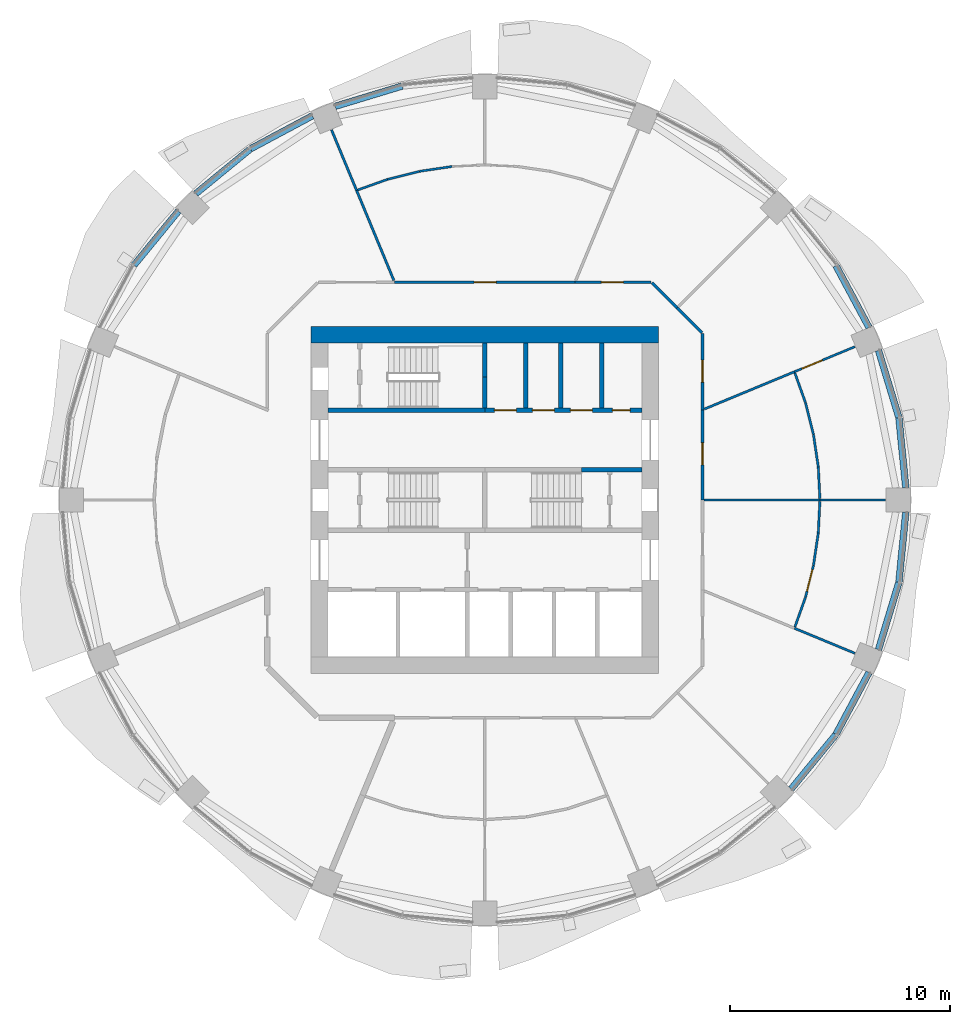
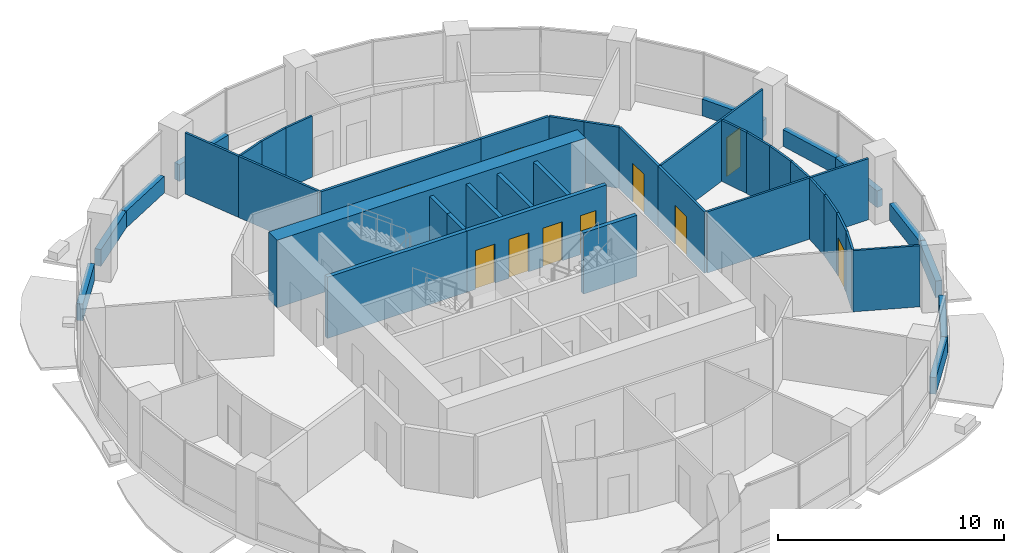
# One storey, part 9 of 14: 44 walls, 10 doors, 10 openings.
"""IFC4 building model written with IfcOpenShell, lengths in metres."""

from ifc_helpers import new_model, si_unit, direction, frame, frame_2d, origin, place, context, subcontext, project, spatial, rectangle, extrude, material, layer, layer_set, type_object, element, fill, save


model = new_model("IFC4")

# Units and contexts
model_context = context("Model", 3, precision=1e-05, world=origin(), true_north=direction((0.0, 1.0)))
body_context = subcontext(model_context, "Body", "Model", "MODEL_VIEW")
ifc_project = project(units=[si_unit("LENGTHUNIT", "METRE"), si_unit("AREAUNIT", "SQUARE_METRE"), si_unit("VOLUMEUNIT", "CUBIC_METRE"), si_unit("PLANEANGLEUNIT", "RADIAN"), si_unit("MASSUNIT", "GRAM", prefix="KILO")], contexts=[model_context])

# Site, building, storey
site_placement = place(None, origin())
site = spatial("IfcSite", under=ifc_project, at=site_placement, CompositionType="ELEMENT")
building_placement = place(site_placement, origin())
building = spatial("IfcBuilding", under=site, at=building_placement, Name="Polderwave Tower", CompositionType="ELEMENT")
storey_placement = place(building_placement, frame((0.0, 0.0, 91.0)))
storey = spatial("IfcBuildingStorey", under=building, at=storey_placement, Name="L23", CompositionType="ELEMENT", Elevation=91.0)

# Walls
ifc_material_1 = material(Name="Concrete C70/85", Category="concrete")
ifc_layer_1 = layer(ifc_material_1, 0.75)
ifc_layer_set_1 = layer_set([ifc_layer_1], Name="CORE WALL 750 C70/85")
wall_type_1 = type_object("IfcWallType", Name="CORE WALL 750 C70/85", PredefinedType="SHEAR", material=ifc_layer_set_1)
wall_1_placement = place(storey_placement, frame((-7.8740234375, 7.4990234375, 0.0), z_axis=(0.0, 0.0, 1.0), x_axis=(1.0, 0.0, 0.0)))
element("IfcWall", 1, at=wall_1_placement, inside=storey, type_object=wall_type_1, Name="ST-CORE-L23-N", PredefinedType="SHEAR", context=body_context, shape_type="SweptSolid", body=[
    extrude(rectangle(XDim=15.748046875, YDim=0.75, at=frame_2d((7.8740234375, 0.0))), origin(), (0.0, 0.0, 1.0), 3.64990234375),
])
ifc_material_2 = material(Name="Concrete C50/60 (board-marked)", Category="concrete")
ifc_layer_2 = layer(ifc_material_2, 0.300048828125)
ifc_layer_set_2 = layer_set([ifc_layer_2], Name="Concrete spandrel upstand C50/60")
wall_type_2 = type_object("IfcWallType", Name="Concrete spandrel upstand C50/60", PredefinedType="SOLIDWALL", material=ifc_layer_set_2)
wall_2_placement = place(storey_placement, frame((19.094482421875, 0.56396484375, 0.0), z_axis=(0.0, 0.0, 1.0), x_axis=(-0.098040704044, 0.995182405567, 0.0)))
element("IfcWall", 2, at=wall_2_placement, inside=storey, type_object=wall_type_2, Name="Spandrel L23 1a", PredefinedType="SOLIDWALL", context=body_context, shape_type="SweptSolid", body=[
    extrude(rectangle(XDim=3.172607421875, YDim=0.300048828125, at=frame_2d((1.58642578125, 0.0))), origin(), (0.0, 0.0, 1.0), 0.89990234375),
])
wall_3_placement = place(storey_placement, frame((18.777587890625, 3.75048828125, 0.0), z_axis=(0.0, 0.0, 1.0), x_axis=(-0.290325591482, 0.956927923582, 0.0)))
element("IfcWall", 3, at=wall_3_placement, inside=storey, type_object=wall_type_2, Name="Spandrel L23 1b", PredefinedType="SOLIDWALL", context=body_context, shape_type="SweptSolid", body=[
    extrude(rectangle(XDim=3.1728515625, YDim=0.300048828125, at=frame_2d((1.58642578125, 0.0))), origin(), (0.0, 0.0, 1.0), 0.89990234375),
])
wall_4_placement = place(storey_placement, frame((17.4248046875, 7.828125, 0.0), z_axis=(0.0, 0.0, 1.0), x_axis=(-0.471458802606, 0.88188808669, 0.0)))
element("IfcWall", 4, at=wall_4_placement, inside=storey, type_object=wall_type_2, Name="Spandrel L23 2a", PredefinedType="SOLIDWALL", context=body_context, shape_type="SweptSolid", body=[
    extrude(rectangle(XDim=3.17236328125, YDim=0.300048828125, at=frame_2d((1.586181640625, 0.0))), origin(), (0.0, 0.0, 1.0), 0.89990234375),
])
wall_5_placement = place(storey_placement, frame((-3.75048828125, 18.777587890625, 0.0), z_axis=(0.0, 0.0, 1.0), x_axis=(-0.956927923582, -0.290325591482, 0.0)))
element("IfcWall", 5, at=wall_5_placement, inside=storey, type_object=wall_type_2, Name="Spandrel L23 5b", PredefinedType="SOLIDWALL", context=body_context, shape_type="SweptSolid", body=[
    extrude(rectangle(XDim=3.1728515625, YDim=0.300048828125, at=frame_2d((1.58642578125, 0.0))), origin(), (0.0, 0.0, 1.0), 0.89990234375),
])
wall_6_placement = place(storey_placement, frame((-7.828125, 17.4248046875, 0.0), z_axis=(0.0, 0.0, 1.0), x_axis=(-0.88188808669, -0.471458802606, 0.0)))
element("IfcWall", 6, at=wall_6_placement, inside=storey, type_object=wall_type_2, Name="Spandrel L23 6a", PredefinedType="SOLIDWALL", context=body_context, shape_type="SweptSolid", body=[
    extrude(rectangle(XDim=3.17236328125, YDim=0.300048828125, at=frame_2d((1.586181640625, 0.0))), origin(), (0.0, 0.0, 1.0), 0.89990234375),
])
for number, where, z_axis, x_axis, name in (
    (7, (-10.650634765625, 15.91259765625, 0.0), (0.0, 0.0, 1.0), (-0.773137226182, -0.634238779555, 0.0), "Spandrel L23 6b"),
    (8, (-13.900390625, 13.103515625, 0.0), (0.0, 0.0, 1.0), (-0.634238779555, -0.773137226182, 0.0), "Spandrel L23 7a"),
    (9, (13.900390625, -13.103515625, 0.0), (0.0, 0.0, 1.0), (0.634238779555, 0.773137226182, 0.0), "Spandrel L23 15a"),
):
    element("IfcWall", number, at=place(storey_placement, frame(where, z_axis=z_axis, x_axis=x_axis)), inside=storey, type_object=wall_type_2, Name=name, PredefinedType="SOLIDWALL", context=body_context, shape_type="SweptSolid", body=[
        extrude(rectangle(XDim=3.172607421875, YDim=0.300048828125, at=frame_2d((1.58642578125, 0.0))), origin(), (0.0, 0.0, 1.0), 0.89990234375),
    ])
wall_7_placement = place(storey_placement, frame((15.92919921875, -10.625732421875, 0.0), z_axis=(0.0, 0.0, 1.0), x_axis=(0.471458802606, 0.88188808669, 0.0)))
element("IfcWall", 10, at=wall_7_placement, inside=storey, type_object=wall_type_2, Name="Spandrel L23 15b", PredefinedType="SOLIDWALL", context=body_context, shape_type="SweptSolid", body=[
    extrude(rectangle(XDim=3.17236328125, YDim=0.300048828125, at=frame_2d((1.586181640625, 0.0))), origin(), (0.0, 0.0, 1.0), 0.89990234375),
])
wall_8_placement = place(storey_placement, frame((17.8564453125, -6.78662109375, 0.0), z_axis=(0.0, 0.0, 1.0), x_axis=(0.290325591482, 0.956927923582, 0.0)))
element("IfcWall", 11, at=wall_8_placement, inside=storey, type_object=wall_type_2, Name="Spandrel L23 16a", PredefinedType="SOLIDWALL", context=body_context, shape_type="SweptSolid", body=[
    extrude(rectangle(XDim=3.1728515625, YDim=0.300048828125, at=frame_2d((1.58642578125, 0.0))), origin(), (0.0, 0.0, 1.0), 0.89990234375),
])
wall_9_placement = place(storey_placement, frame((18.783447265625, -3.72119140625, 0.0), z_axis=(0.0, 0.0, 1.0), x_axis=(0.098040704044, 0.995182405567, 0.0)))
element("IfcWall", 12, at=wall_9_placement, inside=storey, type_object=wall_type_2, Name="Spandrel L23 16b", PredefinedType="SOLIDWALL", context=body_context, shape_type="SweptSolid", body=[
    extrude(rectangle(XDim=3.172607421875, YDim=0.300048828125, at=frame_2d((1.58642578125, 0.0))), origin(), (0.0, 0.0, 1.0), 0.89990234375),
])
ifc_material_3 = material(Name="Gypsum board partition")
ifc_layer_3 = layer(ifc_material_3, 0.199951171875)
ifc_layer_set_3 = layer_set([ifc_layer_3], Name="Core room partition 200")
wall_type_3 = type_object("IfcWallType", Name="Core room partition 200", PredefinedType="PARTITIONING", material=ifc_layer_set_3)
for number, where, z_axis, x_axis, name in (
    (13, (1.86083984375, 4.174072265625, 0.0), (0.0, 0.0, 1.0), (0.0, 1.0, 0.0), "L23 room partition N1"),
    (14, (3.444580078125, 4.174072265625, 0.0), (0.0, 0.0, 1.0), (0.0, 1.0, 0.0), "L23 room partition N2"),
):
    element("IfcWall", number, at=place(storey_placement, frame(where, z_axis=z_axis, x_axis=x_axis)), inside=storey, type_object=wall_type_3, Name=name, PredefinedType="PARTITIONING", context=body_context, shape_type="SweptSolid", body=[
        extrude(rectangle(XDim=2.949951171875, YDim=0.199951171875, at=frame_2d((1.47509765625, 0.0))), origin(), (0.0, 0.0, 1.0), 3.300048828125),
    ])
ifc_material_4 = material(Name="Concrete C50/60", Category="concrete")
ifc_layer_4 = layer(ifc_material_4, 0.199951171875)
ifc_layer_set_4 = layer_set([ifc_layer_4], Name="Core web wall 200")
wall_type_4 = type_object("IfcWallType", Name="Core web wall 200", PredefinedType="SHEAR", material=ifc_layer_set_4)
wall_10_placement = place(storey_placement, frame((-7.1240234375, 4.073974609375, 0.0), z_axis=(0.0, 0.0, 1.0), x_axis=(1.0, 0.0, 0.0)))
element("IfcWall", 15, at=wall_10_placement, inside=storey, type_object=wall_type_4, Name="L23 north front wall 1", PredefinedType="SHEAR", context=body_context, shape_type="SweptSolid", body=[
    extrude(rectangle(XDim=7.1240234375, YDim=0.199951171875, at=frame_2d((3.56201171875, 0.0))), origin(), (0.0, 0.0, 1.0), 3.300048828125),
])

# Wall, openings, doors
wall_11_placement = place(storey_placement, frame((0.0, 4.073974609375, 0.0), z_axis=(0.0, 0.0, 1.0), x_axis=(1.0, 0.0, 0.0)))
wall_11 = element("IfcWall", 16, at=wall_11_placement, inside=storey, type_object=wall_type_4, Name="L23 north front wall 2", PredefinedType="SHEAR", context=body_context, shape_type="SweptSolid", body=[
    extrude(rectangle(XDim=7.1240234375, YDim=0.199951171875, at=frame_2d((3.56201171875, 0.0))), origin(), (0.0, 0.0, 1.0), 3.300048828125),
])
opening_1_placement = place(wall_11_placement, frame((0.430419921875, 0.0, 0.0)))
opening_1 = element("IfcOpeningElement", 17, at=opening_1_placement, cuts=wall_11, Name="Opening L23-D14", PredefinedType="OPENING", context=body_context, shape_type="SweptSolid", body=[
    extrude(rectangle(XDim=1.0, YDim=2.10009765625, at=frame_2d((0.5, 1.050048828125))), frame((0.0, 0.10986328125, 0.0), z_axis=(0.0, -1.0, 0.0), x_axis=(1.0, 0.0, 0.0)), (0.0, 0.0, 1.0), 0.219970703125),
])
opening_2_placement = place(wall_11_placement, frame((2.152587890625, 0.0, 0.0)))
opening_2 = element("IfcOpeningElement", 18, at=opening_2_placement, cuts=wall_11, Name="Opening L23-D15", PredefinedType="OPENING", context=body_context, shape_type="SweptSolid", body=[
    extrude(rectangle(XDim=1.0, YDim=2.10009765625, at=frame_2d((0.5, 1.050048828125))), frame((0.0, 0.10986328125, 0.0), z_axis=(0.0, -1.0, 0.0), x_axis=(1.0, 0.0, 0.0)), (0.0, 0.0, 1.0), 0.219970703125),
])
opening_3_placement = place(wall_11_placement, frame((3.875, 0.0, 0.0)))
opening_3 = element("IfcOpeningElement", 19, at=opening_3_placement, cuts=wall_11, Name="Opening L23-D16", PredefinedType="OPENING", context=body_context, shape_type="SweptSolid", body=[
    extrude(rectangle(XDim=1.0, YDim=2.10009765625, at=frame_2d((0.5, 1.050048828125))), frame((0.0, 0.10986328125, 0.0), z_axis=(0.0, -1.0, 0.0), x_axis=(1.0, 0.0, 0.0)), (0.0, 0.0, 1.0), 0.219970703125),
])
opening_4_placement = place(wall_11_placement, frame((5.789794921875, 0.0, 0.0)))
opening_4 = element("IfcOpeningElement", 20, at=opening_4_placement, cuts=wall_11, Name="Opening L23-D17", PredefinedType="OPENING", context=body_context, shape_type="SweptSolid", body=[
    extrude(rectangle(XDim=0.800048828125, YDim=2.10009765625, at=frame_2d((0.39990234375, 1.050048828125))), frame((0.0, 0.10986328125, 0.0), z_axis=(0.0, -1.0, 0.0), x_axis=(1.0, 0.0, 0.0)), (0.0, 0.0, 1.0), 0.219970703125),
])
ifc_material_5 = material(Name="Timber door leaf", Category="wood")
door_type_1 = type_object("IfcDoorType", Name="Accessible WC door 1000", OperationType="NOTDEFINED", PredefinedType="DOOR", material=ifc_material_5)
door_1_placement = place(opening_1_placement, origin())
door_1 = element("IfcDoor", 21, at=door_1_placement, inside=storey, type_object=door_type_1, Name="Accessible WC door", OperationType="SINGLE_SWING_LEFT", OverallHeight=2.10009765625, OverallWidth=1.0, PredefinedType="DOOR", context=body_context, shape_type="SweptSolid", body=[
    extrude(rectangle(XDim=1.0, YDim=2.10009765625, at=frame_2d((0.5, 1.050048828125))), frame((0.0, 0.02490234375, 0.0), z_axis=(0.0, -1.0, 0.0), x_axis=(1.0, 0.0, 0.0)), (0.0, 0.0, 1.0), 0.050048828125),
])
fill(opening_1, door_1)
ifc_material_6 = material(Name="Steel fire door", Category="steel")
door_type_2 = type_object("IfcDoorType", Name="Riser door 800", OperationType="NOTDEFINED", PredefinedType="DOOR", material=ifc_material_6)
door_2_placement = place(opening_4_placement, frame((0.800048828125, 0.0, 0.0), z_axis=(0.0, 0.0, 1.0), x_axis=(-1.0, 0.0, 0.0)))
door_2 = element("IfcDoor", 22, at=door_2_placement, inside=storey, type_object=door_type_2, Name="Riser door", OperationType="SINGLE_SWING_LEFT", OverallHeight=2.10009765625, OverallWidth=0.800048828125, PredefinedType="DOOR", context=body_context, shape_type="SweptSolid", body=[
    extrude(rectangle(XDim=0.800048828125, YDim=2.10009765625, at=frame_2d((0.39990234375, 1.050048828125))), frame((0.0, 0.02490234375, 0.0), z_axis=(0.0, -1.0, 0.0), x_axis=(1.0, 0.0, 0.0)), (0.0, 0.0, 1.0), 0.050048828125),
])
fill(opening_4, door_2)
door_type_3 = type_object("IfcDoorType", Name="Room door 1000", OperationType="NOTDEFINED", PredefinedType="DOOR", material=ifc_material_5)
door_3_placement = place(opening_2_placement, frame((1.0, 0.0, 0.0), z_axis=(0.0, 0.0, 1.0), x_axis=(-1.0, 0.0, 0.0)))
door_3 = element("IfcDoor", 23, at=door_3_placement, inside=storey, type_object=door_type_3, Name="Pump room door", OperationType="SINGLE_SWING_RIGHT", OverallHeight=2.10009765625, OverallWidth=1.0, PredefinedType="DOOR", context=body_context, shape_type="SweptSolid", body=[
    extrude(rectangle(XDim=1.0, YDim=2.10009765625, at=frame_2d((0.5, 1.050048828125))), frame((0.0, 0.02490234375, 0.0), z_axis=(0.0, -1.0, 0.0), x_axis=(1.0, 0.0, 0.0)), (0.0, 0.0, 1.0), 0.050048828125),
])
fill(opening_2, door_3)
door_4_placement = place(opening_3_placement, origin())
door_4 = element("IfcDoor", 24, at=door_4_placement, inside=storey, type_object=door_type_3, Name="Cleaner's store door", OperationType="SINGLE_SWING_RIGHT", OverallHeight=2.10009765625, OverallWidth=1.0, PredefinedType="DOOR", context=body_context, shape_type="SweptSolid", body=[
    extrude(rectangle(XDim=1.0, YDim=2.10009765625, at=frame_2d((0.5, 1.050048828125))), frame((0.0, 0.02490234375, 0.0), z_axis=(0.0, -1.0, 0.0), x_axis=(1.0, 0.0, 0.0)), (0.0, 0.0, 1.0), 0.050048828125),
])
fill(opening_3, door_4)

# Walls
wall_12_placement = place(storey_placement, frame((4.3740234375, 1.375, 0.0), z_axis=(0.0, 0.0, 1.0), x_axis=(1.0, 0.0, 0.0)))
element("IfcWall", 25, at=wall_12_placement, inside=storey, type_object=wall_type_4, Name="L23 north stair wall 4", PredefinedType="SHEAR", context=body_context, shape_type="SweptSolid", body=[
    extrude(rectangle(XDim=2.75, YDim=0.199951171875, at=frame_2d((1.375, 0.0))), origin(), (0.0, 0.0, 1.0), 3.300048828125),
])
wall_13_placement = place(storey_placement, frame((0.0, 4.174072265625, 0.0), z_axis=(0.0, 0.0, 1.0), x_axis=(0.0, 1.0, 0.0)))
element("IfcWall", 26, at=wall_13_placement, inside=storey, type_object=wall_type_4, Name="L23 stair C wall south", PredefinedType="SHEAR", context=body_context, shape_type="SweptSolid", body=[
    extrude(rectangle(XDim=1.39990234375, YDim=0.199951171875, at=frame_2d((0.699951171875, 0.0))), origin(), (0.0, 0.0, 1.0), 3.300048828125),
])
wall_14_placement = place(storey_placement, frame((0.0, 5.573974609375, 0.0), z_axis=(0.0, 0.0, 1.0), x_axis=(0.0, 1.0, 0.0)))
element("IfcWall", 27, at=wall_14_placement, inside=storey, type_object=wall_type_4, Name="L23 stair C wall north", PredefinedType="SHEAR", context=body_context, shape_type="SweptSolid", body=[
    extrude(rectangle(XDim=1.550048828125, YDim=0.199951171875, at=frame_2d((0.77490234375, 0.0))), origin(), (0.0, 0.0, 1.0), 3.300048828125),
])

# Wall, opening, door
ifc_material_7 = material(Name="Fire-resisting board on steel studs", Category="steel")
ifc_layer_5 = layer(ifc_material_7, 0.125)
ifc_layer_set_5 = layer_set([ifc_layer_5], Name="Corridor wall 125 mm EI 60")
wall_type_5 = type_object("IfcWallType", Name="Corridor wall 125 mm EI 60", PredefinedType="PARTITIONING", material=ifc_layer_set_5)
wall_15_placement = place(storey_placement, frame((9.8740234375, 4.08984375, 0.0), z_axis=(0.0, 0.0, 1.0), x_axis=(0.0, -1.0, 0.0)))
wall_15 = element("IfcWall", 28, at=wall_15_placement, inside=storey, type_object=wall_type_5, Name="IN-L23-W001", PredefinedType="PARTITIONING", context=body_context, shape_type="SweptSolid", body=[
    extrude(rectangle(XDim=4.08984375, YDim=0.125, at=frame_2d((2.044921875, 0.0))), origin(), (0.0, 0.0, 1.0), 3.300048828125),
])
opening_5_placement = place(wall_15_placement, frame((1.5, 0.0, 0.0)))
opening_5 = element("IfcOpeningElement", 29, at=opening_5_placement, cuts=wall_15, Name="Opening L23-D50", PredefinedType="OPENING", context=body_context, shape_type="SweptSolid", body=[
    extrude(rectangle(XDim=1.0, YDim=2.10009765625, at=frame_2d((0.5, 1.050048828125))), frame((0.0, 0.072509765625, 0.0), z_axis=(0.0, -1.0, 0.0), x_axis=(1.0, 0.0, 0.0)), (0.0, 0.0, 1.0), 0.14501953125),
])
ifc_material_8 = material(Name="Timber fire door leaf", Category="wood")
door_type_4 = type_object("IfcDoorType", Name="Fire door FD30S 1000 x 2100", OperationType="NOTDEFINED", PredefinedType="DOOR", material=ifc_material_8)
door_5_placement = place(opening_5_placement, origin())
door_5 = element("IfcDoor", 30, at=door_5_placement, inside=storey, type_object=door_type_4, Name="Door L23-D50", OperationType="SINGLE_SWING_LEFT", OverallHeight=2.10009765625, OverallWidth=1.0, PredefinedType="DOOR", context=body_context, shape_type="SweptSolid", body=[
    extrude(rectangle(XDim=1.0, YDim=2.10009765625, at=frame_2d((0.5, 1.050048828125))), frame((0.0, 0.02490234375, 0.0), z_axis=(0.0, -1.0, 0.0), x_axis=(1.0, 0.0, 0.0)), (0.0, 0.0, 1.0), 0.050048828125),
])
fill(opening_5, door_5)

# Wall
wall_16_placement = place(storey_placement, frame((8.722412109375, 8.722412109375, 0.0), z_axis=(0.0, 0.0, 1.0), x_axis=(0.70718294931, -0.707030604857, 0.0)))
element("IfcWall", 31, at=wall_16_placement, inside=storey, type_object=wall_type_5, Name="IN-L23-W002", PredefinedType="PARTITIONING", context=body_context, shape_type="SweptSolid", body=[
    extrude(rectangle(XDim=1.6025390625, YDim=0.125, at=frame_2d((0.80126953125, 0.0))), origin(), (0.0, 0.0, 1.0), 3.300048828125),
])

# Wall, opening, door
wall_17_placement = place(storey_placement, frame((9.8740234375, 7.545166015625, 0.0), z_axis=(0.0, 0.0, 1.0), x_axis=(0.0, -1.0, 0.0)))
wall_17 = element("IfcWall", 32, at=wall_17_placement, inside=storey, type_object=wall_type_5, Name="IN-L23-W003", PredefinedType="PARTITIONING", context=body_context, shape_type="SweptSolid", body=[
    extrude(rectangle(XDim=3.455322265625, YDim=0.125, at=frame_2d((1.7275390625, 0.0))), origin(), (0.0, 0.0, 1.0), 3.300048828125),
])
opening_6_placement = place(wall_17_placement, frame((1.199951171875, 0.0, 0.0)))
opening_6 = element("IfcOpeningElement", 33, at=opening_6_placement, cuts=wall_17, Name="Opening L23-D51", PredefinedType="OPENING", context=body_context, shape_type="SweptSolid", body=[
    extrude(rectangle(XDim=1.0, YDim=2.10009765625, at=frame_2d((0.5, 1.050048828125))), frame((0.0, 0.072509765625, 0.0), z_axis=(0.0, -1.0, 0.0), x_axis=(1.0, 0.0, 0.0)), (0.0, 0.0, 1.0), 0.14501953125),
])
door_6_placement = place(opening_6_placement, origin())
door_6 = element("IfcDoor", 34, at=door_6_placement, inside=storey, type_object=door_type_4, Name="Door L23-D51", OperationType="SINGLE_SWING_LEFT", OverallHeight=2.10009765625, OverallWidth=1.0, PredefinedType="DOOR", context=body_context, shape_type="SweptSolid", body=[
    extrude(rectangle(XDim=1.0, YDim=2.10009765625, at=frame_2d((0.5, 1.050048828125))), frame((0.0, 0.02490234375, 0.0), z_axis=(0.0, -1.0, 0.0), x_axis=(1.0, 0.0, 0.0)), (0.0, 0.0, 1.0), 0.050048828125),
])
fill(opening_6, door_6)

wall_18_placement = place(storey_placement, frame((4.08984375, 9.8740234375, 0.0), z_axis=(0.0, 0.0, 1.0), x_axis=(1.0, 0.0, 0.0)))
wall_18 = element("IfcWall", 35, at=wall_18_placement, inside=storey, type_object=wall_type_5, Name="IN-L23-W007", PredefinedType="PARTITIONING", context=body_context, shape_type="SweptSolid", body=[
    extrude(rectangle(XDim=3.455322265625, YDim=0.125, at=frame_2d((1.7275390625, 0.0))), origin(), (0.0, 0.0, 1.0), 3.300048828125),
])
opening_7_placement = place(wall_18_placement, frame((1.199951171875, 0.0, 0.0)))
opening_7 = element("IfcOpeningElement", 36, at=opening_7_placement, cuts=wall_18, Name="Opening L23-D54", PredefinedType="OPENING", context=body_context, shape_type="SweptSolid", body=[
    extrude(rectangle(XDim=1.0, YDim=2.10009765625, at=frame_2d((0.5, 1.050048828125))), frame((0.0, 0.072509765625, 0.0), z_axis=(0.0, -1.0, 0.0), x_axis=(1.0, 0.0, 0.0)), (0.0, 0.0, 1.0), 0.14501953125),
])
door_7_placement = place(opening_7_placement, origin())
door_7 = element("IfcDoor", 37, at=door_7_placement, inside=storey, type_object=door_type_4, Name="Door L23-D54", OperationType="SINGLE_SWING_LEFT", OverallHeight=2.10009765625, OverallWidth=1.0, PredefinedType="DOOR", context=body_context, shape_type="SweptSolid", body=[
    extrude(rectangle(XDim=1.0, YDim=2.10009765625, at=frame_2d((0.5, 1.050048828125))), frame((0.0, 0.02490234375, 0.0), z_axis=(0.0, -1.0, 0.0), x_axis=(1.0, 0.0, 0.0)), (0.0, 0.0, 1.0), 0.050048828125),
])
fill(opening_7, door_7)

# Wall
wall_19_placement = place(storey_placement, frame((7.58935546875, 9.855712890625, 0.0), z_axis=(0.0, 0.0, 1.0), x_axis=(0.707030604857, -0.70718294931, 0.0)))
element("IfcWall", 38, at=wall_19_placement, inside=storey, type_object=wall_type_5, Name="IN-L23-W008", PredefinedType="PARTITIONING", context=body_context, shape_type="SweptSolid", body=[
    extrude(rectangle(XDim=1.6025390625, YDim=0.125, at=frame_2d((0.80126953125, 0.0))), origin(), (0.0, 0.0, 1.0), 3.300048828125),
])

# Wall, opening, door
wall_20_placement = place(storey_placement, frame((-4.08984375, 9.8740234375, 0.0), z_axis=(0.0, 0.0, 1.0), x_axis=(1.0, 0.0, 0.0)))
wall_20 = element("IfcWall", 39, at=wall_20_placement, inside=storey, type_object=wall_type_5, Name="IN-L23-W009", PredefinedType="PARTITIONING", context=body_context, shape_type="SweptSolid", body=[
    extrude(rectangle(XDim=8.1796875, YDim=0.125, at=frame_2d((4.08984375, 0.0))), origin(), (0.0, 0.0, 1.0), 3.300048828125),
])
opening_8_placement = place(wall_20_placement, frame((3.60009765625, 0.0, 0.0)))
opening_8 = element("IfcOpeningElement", 40, at=opening_8_placement, cuts=wall_20, Name="Opening L23-D55", PredefinedType="OPENING", context=body_context, shape_type="SweptSolid", body=[
    extrude(rectangle(XDim=1.0, YDim=2.10009765625, at=frame_2d((0.5, 1.050048828125))), frame((0.0, 0.072509765625, 0.0), z_axis=(0.0, -1.0, 0.0), x_axis=(1.0, 0.0, 0.0)), (0.0, 0.0, 1.0), 0.14501953125),
])
door_8_placement = place(opening_8_placement, origin())
door_8 = element("IfcDoor", 41, at=door_8_placement, inside=storey, type_object=door_type_4, Name="Door L23-D55", OperationType="SINGLE_SWING_RIGHT", OverallHeight=2.10009765625, OverallWidth=1.0, PredefinedType="DOOR", context=body_context, shape_type="SweptSolid", body=[
    extrude(rectangle(XDim=1.0, YDim=2.10009765625, at=frame_2d((0.5, 1.050048828125))), frame((0.0, 0.02490234375, 0.0), z_axis=(0.0, -1.0, 0.0), x_axis=(1.0, 0.0, 0.0)), (0.0, 0.0, 1.0), 0.050048828125),
])
fill(opening_8, door_8)

ifc_material_9 = material(Name="Plasterboard on steel studs", Category="steel")
ifc_layer_6 = layer(ifc_material_9, 0.10009765625)
ifc_layer_set_6 = layer_set([ifc_layer_6], Name="Partition 100 mm plasterboard on steel studs")
wall_type_6 = type_object("IfcWallType", Name="Partition 100 mm plasterboard on steel studs", PredefinedType="PARTITIONING", material=ifc_layer_set_6)
wall_21_placement = place(storey_placement, frame((16.786865234375, 6.953369140625, 0.0), z_axis=(0.0, 0.0, 1.0), x_axis=(-0.923889594764, -0.382659139036, 0.0)))
wall_21 = element("IfcWall", 42, at=wall_21_placement, inside=storey, type_object=wall_type_6, Name="IN-L23-W028", PredefinedType="PARTITIONING", context=body_context, shape_type="SweptSolid", body=[
    extrude(rectangle(XDim=2.969970703125, YDim=0.10009765625, at=frame_2d((1.48486328125, 0.0))), origin(), (0.0, 0.0, 1.0), 3.300048828125),
])
opening_9_placement = place(wall_21_placement, frame((1.60009765625, 0.0, 0.0)))
opening_9 = element("IfcOpeningElement", 43, at=opening_9_placement, cuts=wall_21, Name="Opening L23-D61", PredefinedType="OPENING", context=body_context, shape_type="SweptSolid", body=[
    extrude(rectangle(XDim=1.0, YDim=2.10009765625, at=frame_2d((0.5, 1.050048828125))), frame((0.0, 0.06005859375, 0.0), z_axis=(0.0, -1.0, 0.0), x_axis=(1.0, 0.0, 0.0)), (0.0, 0.0, 1.0), 0.1201171875),
])
ifc_material_10 = material(Name="Timber veneer door leaf", Category="wood")
door_type_5 = type_object("IfcDoorType", Name="Single door 1000 x 2100", OperationType="NOTDEFINED", PredefinedType="DOOR", material=ifc_material_10)
door_9_placement = place(opening_9_placement, origin())
door_9 = element("IfcDoor", 44, at=door_9_placement, inside=storey, type_object=door_type_5, Name="Door L23-D61", OperationType="SINGLE_SWING_RIGHT", OverallHeight=2.10009765625, OverallWidth=1.0, PredefinedType="DOOR", context=body_context, shape_type="SweptSolid", body=[
    extrude(rectangle(XDim=1.0, YDim=2.10009765625, at=frame_2d((0.5, 1.050048828125))), frame((0.0, 0.02490234375, 0.0), z_axis=(0.0, -1.0, 0.0), x_axis=(1.0, 0.0, 0.0)), (0.0, 0.0, 1.0), 0.050048828125),
])
fill(opening_9, door_9)

# Walls
wall_22_placement = place(storey_placement, frame((-5.7626953125, 14.0625, 0.0), z_axis=(0.0, 0.0, 1.0), x_axis=(0.941587499657, 0.33676843749, 0.0)))
element("IfcWall", 45, at=wall_22_placement, inside=storey, type_object=wall_type_6, Name="IN-L23-W038", PredefinedType="PARTITIONING", context=body_context, shape_type="SweptSolid", body=[
    extrude(rectangle(XDim=1.431884765625, YDim=0.10009765625, at=frame_2d((0.7158203125, 0.0))), origin(), (0.0, 0.0, 1.0), 3.300048828125),
])
wall_23_placement = place(storey_placement, frame((-4.409912109375, 14.546142578125, 0.0), z_axis=(0.0, 0.0, 1.0), x_axis=(0.970055497102, 0.242883372306, 0.0)))
element("IfcWall", 46, at=wall_23_placement, inside=storey, type_object=wall_type_6, Name="IN-L23-W039", PredefinedType="PARTITIONING", context=body_context, shape_type="SweptSolid", body=[
    extrude(rectangle(XDim=1.486572265625, YDim=0.10009765625, at=frame_2d((0.7431640625, 0.0))), origin(), (0.0, 0.0, 1.0), 3.300048828125),
])
wall_24_placement = place(storey_placement, frame((-2.962890625, 14.908203125, 0.0), z_axis=(0.0, 0.0, 1.0), x_axis=(0.989166402168, 0.146798599525, 0.0)))
element("IfcWall", 47, at=wall_24_placement, inside=storey, type_object=wall_type_6, Name="IN-L23-W040", PredefinedType="PARTITIONING", context=body_context, shape_type="SweptSolid", body=[
    extrude(rectangle(XDim=1.48681640625, YDim=0.10009765625, at=frame_2d((0.743408203125, 0.0))), origin(), (0.0, 0.0, 1.0), 3.300048828125),
])
ifc_material_11 = material(Name="Moisture-resistant board on steel studs, tiled", Category="steel")
ifc_layer_7 = layer(ifc_material_11, 0.10498046875)
ifc_layer_set_7 = layer_set([ifc_layer_7], Name="Partition 105 mm wet room board and tile")
wall_type_7 = type_object("IfcWallType", Name="Partition 105 mm wet room board and tile", PredefinedType="PARTITIONING", material=ifc_layer_set_7)
wall_25_placement = place(storey_placement, frame((14.0615234375, 5.764892578125, 0.0), z_axis=(0.0, 0.0, 1.0), x_axis=(0.336940319535, -0.941526006583, 0.0)))
element("IfcWall", 48, at=wall_25_placement, inside=storey, type_object=wall_type_7, Name="IN-L23-W022", PredefinedType="PARTITIONING", context=body_context, shape_type="SweptSolid", body=[
    extrude(rectangle(XDim=1.433837890625, YDim=0.10498046875, at=frame_2d((0.716796875, 0.0))), origin(), (0.0, 0.0, 1.0), 3.300048828125),
])
wall_26_placement = place(storey_placement, frame((14.546142578125, 4.409912109375, 0.0), z_axis=(0.0, 0.0, 1.0), x_axis=(0.242922070527, -0.970045806986, 0.0)))
element("IfcWall", 49, at=wall_26_placement, inside=storey, type_object=wall_type_7, Name="IN-L23-W023", PredefinedType="PARTITIONING", context=body_context, shape_type="SweptSolid", body=[
    extrude(rectangle(XDim=1.486328125, YDim=0.10498046875, at=frame_2d((0.7431640625, 0.0))), origin(), (0.0, 0.0, 1.0), 3.300048828125),
])
wall_27_placement = place(storey_placement, frame((14.908203125, 2.962890625, 0.0), z_axis=(0.0, 0.0, 1.0), x_axis=(0.146822447166, -0.989162862732, 0.0)))
element("IfcWall", 50, at=wall_27_placement, inside=storey, type_object=wall_type_7, Name="IN-L23-W024", PredefinedType="PARTITIONING", context=body_context, shape_type="SweptSolid", body=[
    extrude(rectangle(XDim=1.486572265625, YDim=0.10498046875, at=frame_2d((0.7431640625, 0.0))), origin(), (0.0, 0.0, 1.0), 3.300048828125),
])
wall_28_placement = place(storey_placement, frame((15.126953125, 1.4873046875, 0.0), z_axis=(0.0, 0.0, 1.0), x_axis=(0.0491209592, -0.998792837062, 0.0)))
element("IfcWall", 51, at=wall_28_placement, inside=storey, type_object=wall_type_7, Name="IN-L23-W025", PredefinedType="PARTITIONING", context=body_context, shape_type="SweptSolid", body=[
    extrude(rectangle(XDim=1.431396484375, YDim=0.10498046875, at=frame_2d((0.7158203125, 0.0))), origin(), (0.0, 0.0, 1.0), 3.300048828125),
])
wall_29_placement = place(storey_placement, frame((9.95654296875, 4.1240234375, 0.0), z_axis=(0.0, 0.0, 1.0), x_axis=(0.923862097388, 0.382725521764, 0.0)))
element("IfcWall", 52, at=wall_29_placement, inside=storey, type_object=wall_type_7, Name="IN-L23-W026", PredefinedType="PARTITIONING", context=body_context, shape_type="SweptSolid", body=[
    extrude(rectangle(XDim=4.423095703125, YDim=0.10498046875, at=frame_2d((2.21142578125, 0.0))), origin(), (0.0, 0.0, 1.0), 3.300048828125),
])
wall_30_placement = place(storey_placement, frame((15.199951171875, 0.0, 0.0), z_axis=(0.0, 0.0, 1.0), x_axis=(-1.0, 0.0, 0.0)))
element("IfcWall", 53, at=wall_30_placement, inside=storey, type_object=wall_type_7, Name="IN-L23-W027", PredefinedType="PARTITIONING", context=body_context, shape_type="SweptSolid", body=[
    extrude(rectangle(XDim=5.263427734375, YDim=0.10498046875, at=frame_2d((2.6318359375, 0.0))), origin(), (0.0, 0.0, 1.0), 3.300048828125),
])
wall_31_placement = place(storey_placement, frame((14.04296875, -5.81689453125, 0.0), z_axis=(0.0, 0.0, 1.0), x_axis=(0.923889594764, -0.382659139036, 0.0)))
element("IfcWall", 54, at=wall_31_placement, inside=storey, type_object=wall_type_7, Name="IN-L23-W068", PredefinedType="PARTITIONING", context=body_context, shape_type="SweptSolid", body=[
    extrude(rectangle(XDim=2.969970703125, YDim=0.10498046875, at=frame_2d((1.48486328125, 0.0))), origin(), (0.0, 0.0, 1.0), 3.300048828125),
])
wall_32_placement = place(storey_placement, frame((14.0615234375, -5.764892578125, 0.0), z_axis=(0.0, 0.0, 1.0), x_axis=(0.336940319535, 0.941526006583, 0.0)))
element("IfcWall", 55, at=wall_32_placement, inside=storey, type_object=wall_type_7, Name="IN-L23-W070", PredefinedType="PARTITIONING", context=body_context, shape_type="SweptSolid", body=[
    extrude(rectangle(XDim=1.433837890625, YDim=0.10498046875, at=frame_2d((0.716796875, 0.0))), origin(), (0.0, 0.0, 1.0), 3.300048828125),
])

# Wall, opening, door
wall_33_placement = place(storey_placement, frame((14.9072265625, -2.968017578125, 0.0), z_axis=(0.0, 0.0, 1.0), x_axis=(-0.242922070527, -0.970045806986, 0.0)))
wall_33 = element("IfcWall", 56, at=wall_33_placement, inside=storey, type_object=wall_type_7, Name="IN-L23-W071", PredefinedType="PARTITIONING", context=body_context, shape_type="SweptSolid", body=[
    extrude(rectangle(XDim=1.486328125, YDim=0.10498046875, at=frame_2d((0.7431640625, 0.0))), origin(), (0.0, 0.0, 1.0), 3.300048828125),
])
opening_10_placement = place(wall_33_placement, frame((0.199951171875, 0.0, 0.0)))
opening_10 = element("IfcOpeningElement", 57, at=opening_10_placement, cuts=wall_33, Name="Opening L23-D68", PredefinedType="OPENING", context=body_context, shape_type="SweptSolid", body=[
    extrude(rectangle(XDim=1.0, YDim=2.10009765625, at=frame_2d((0.5, 1.050048828125))), frame((0.0, 0.0625, 0.0), z_axis=(0.0, -1.0, 0.0), x_axis=(1.0, 0.0, 0.0)), (0.0, 0.0, 1.0), 0.125),
])
door_10_placement = place(opening_10_placement, origin())
door_10 = element("IfcDoor", 58, at=door_10_placement, inside=storey, type_object=door_type_5, Name="Door L23-D68", OperationType="SINGLE_SWING_LEFT", OverallHeight=2.10009765625, OverallWidth=1.0, PredefinedType="DOOR", context=body_context, shape_type="SweptSolid", body=[
    extrude(rectangle(XDim=1.0, YDim=2.10009765625, at=frame_2d((0.5, 1.050048828125))), frame((0.0, 0.02490234375, 0.0), z_axis=(0.0, -1.0, 0.0), x_axis=(1.0, 0.0, 0.0)), (0.0, 0.0, 1.0), 0.050048828125),
])
fill(opening_10, door_10)

# Walls
wall_34_placement = place(storey_placement, frame((14.908203125, -2.962890625, 0.0), z_axis=(0.0, 0.0, 1.0), x_axis=(0.146822447166, 0.989162862732, 0.0)))
element("IfcWall", 59, at=wall_34_placement, inside=storey, type_object=wall_type_7, Name="IN-L23-W072", PredefinedType="PARTITIONING", context=body_context, shape_type="SweptSolid", body=[
    extrude(rectangle(XDim=1.486572265625, YDim=0.10498046875, at=frame_2d((0.7431640625, 0.0))), origin(), (0.0, 0.0, 1.0), 3.300048828125),
])
wall_35_placement = place(storey_placement, frame((15.126953125, -1.4873046875, 0.0), z_axis=(0.0, 0.0, 1.0), x_axis=(0.0491209592, 0.998792837062, 0.0)))
element("IfcWall", 60, at=wall_35_placement, inside=storey, type_object=wall_type_7, Name="IN-L23-W073", PredefinedType="PARTITIONING", context=body_context, shape_type="SweptSolid", body=[
    extrude(rectangle(XDim=1.431396484375, YDim=0.10498046875, at=frame_2d((0.7158203125, 0.0))), origin(), (0.0, 0.0, 1.0), 3.300048828125),
])
ifc_material_12 = material(Name="Acoustic double plasterboard on steel studs", Category="steel")
ifc_layer_8 = layer(ifc_material_12, 0.110107421875)
ifc_layer_set_8 = layer_set([ifc_layer_8], Name="Partition 110 mm acoustic double board")
wall_type_8 = type_object("IfcWallType", Name="Partition 110 mm acoustic double board", PredefinedType="PARTITIONING", material=ifc_layer_set_8)
wall_36_placement = place(storey_placement, frame((18.169921875, 0.0, 0.0), z_axis=(0.0, 0.0, 1.0), x_axis=(-1.0, 0.0, 0.0)))
element("IfcWall", 61, at=wall_36_placement, inside=storey, type_object=wall_type_8, Name="IN-L23-W029", PredefinedType="PARTITIONING", context=body_context, shape_type="SweptSolid", body=[
    extrude(rectangle(XDim=2.969970703125, YDim=0.110107421875, at=frame_2d((1.48486328125, 0.0))), origin(), (0.0, 0.0, 1.0), 3.300048828125),
])
wall_37_placement = place(storey_placement, frame((-4.12451171875, 9.95751953125, 0.0), z_axis=(0.0, 0.0, 1.0), x_axis=(-0.382709362011, 0.923868791674, 0.0)))
element("IfcWall", 62, at=wall_37_placement, inside=storey, type_object=wall_type_8, Name="IN-L23-W042", PredefinedType="PARTITIONING", context=body_context, shape_type="SweptSolid", body=[
    extrude(rectangle(XDim=4.422119140625, YDim=0.110107421875, at=frame_2d((2.2109375, 0.0))), origin(), (0.0, 0.0, 1.0), 3.300048828125),
])
wall_38_placement = place(storey_placement, frame((-5.81689453125, 14.04296875, 0.0), z_axis=(0.0, 0.0, 1.0), x_axis=(-0.382659139036, 0.923889594764, 0.0)))
element("IfcWall", 63, at=wall_38_placement, inside=storey, type_object=wall_type_8, Name="IN-L23-W043", PredefinedType="PARTITIONING", context=body_context, shape_type="SweptSolid", body=[
    extrude(rectangle(XDim=2.969970703125, YDim=0.110107421875, at=frame_2d((1.48486328125, 0.0))), origin(), (0.0, 0.0, 1.0), 3.300048828125),
])
ifc_material_13 = material(Name="Gypsum shaft wall system")
ifc_layer_9 = layer(ifc_material_13, 0.199951171875)
ifc_layer_set_9 = layer_set([ifc_layer_9], Name="Shaft wall 200")
wall_type_9 = type_object("IfcWallType", Name="Shaft wall 200", PredefinedType="PARTITIONING", material=ifc_layer_set_9)
wall_39_placement = place(storey_placement, frame((5.305419921875, 4.174072265625, 0.0), z_axis=(0.0, 0.0, 1.0), x_axis=(0.0, 1.0, 0.0)))
element("IfcWall", 64, at=wall_39_placement, inside=storey, type_object=wall_type_9, Name="L23 riser wall", PredefinedType="PARTITIONING", context=body_context, shape_type="SweptSolid", body=[
    extrude(rectangle(XDim=2.949951171875, YDim=0.199951171875, at=frame_2d((1.47509765625, 0.0))), origin(), (0.0, 0.0, 1.0), 3.300048828125),
])

save(model, "model.ifc")
